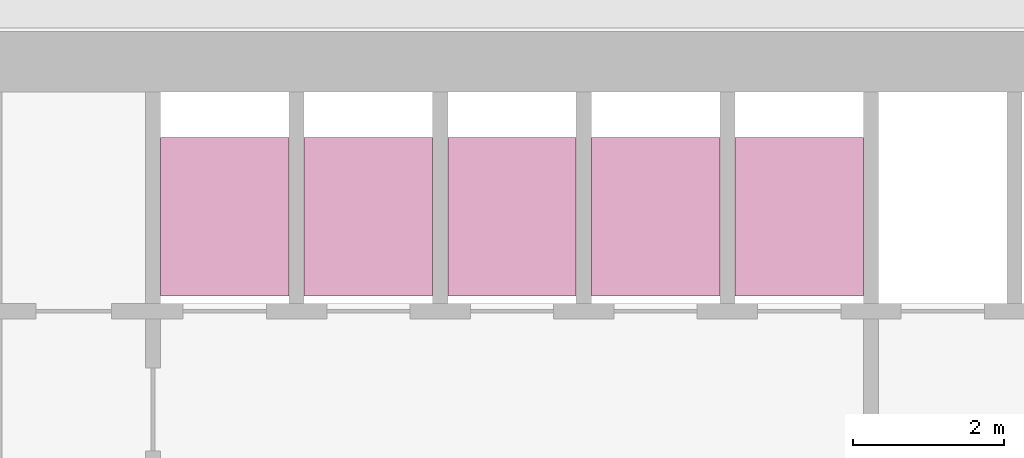
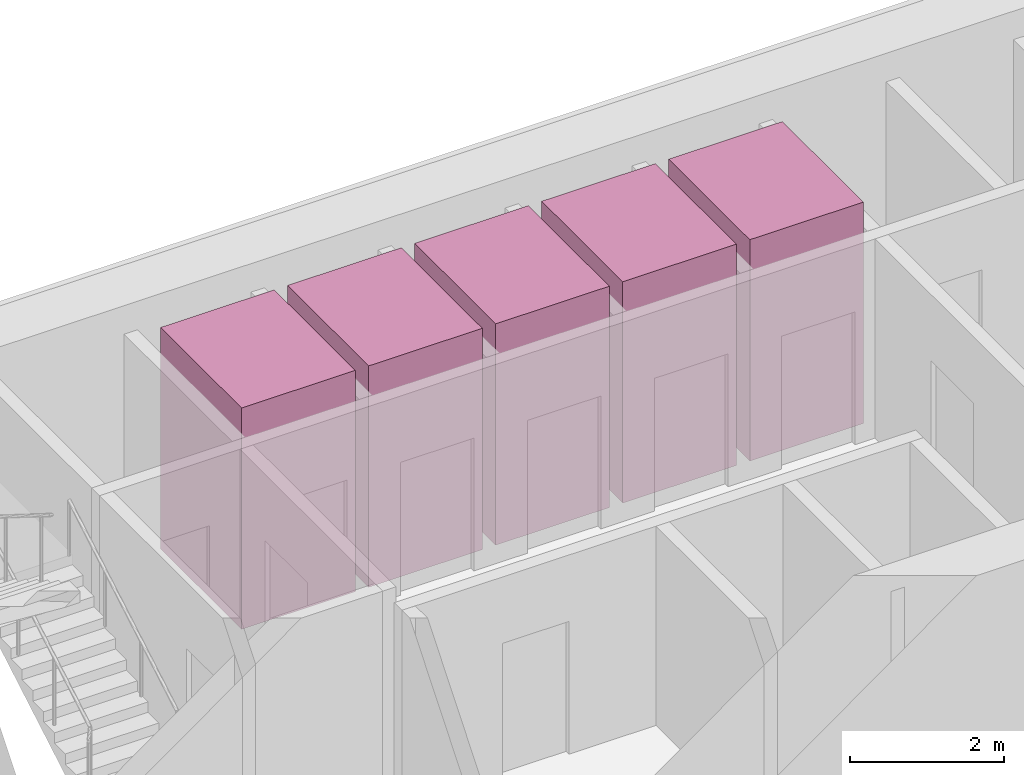
# One storey, part 13 of 13: 5 transport elements.
"""IFC4 building model written with IfcOpenShell, lengths in metres."""

import ifcopenshell
import ifcopenshell.guid

model = None  # the IFC model being written
_history = None  # IfcOwnerHistory: only IFC2X3 demands one
_inside = {}  # id of a spatial element -> (the spatial element, [elements in it])
_under = {}  # id of a project, library or spatial element -> (it, [spatial elements below it])
_declared = {}  # id of a project -> (the project, [libraries it declares])
_typed = {}  # id of a type object -> (the type object, [elements of that type])
_made_of = {}  # id of a material, layer set ... -> (it, [elements and type objects made of it])


def new_model(schema):
    """Start an empty IFC model of exactly this schema.

    Asked for "IFC4X3", IfcOpenShell would pick the latest addendum, in which some entities
    have other attributes; the version numbers below select the first issue.
    IFC2X3 requires an IfcOwnerHistory on every rooted entity: one is made here for all.
    """
    global model, _history
    if schema == "IFC4X3":
        model = ifcopenshell.file(schema_version=(4, 3, 0, 0))
    else:
        model = ifcopenshell.file(schema=schema)
    _inside.clear()
    _under.clear()
    _declared.clear()
    _typed.clear()
    _made_of.clear()
    _history = None
    if model.schema == "IFC2X3":
        org = make("IfcOrganization", Name="unknown")
        user = make(
            "IfcPersonAndOrganization",
            ThePerson=make("IfcPerson", FamilyName="unknown"),
            TheOrganization=org,
        )
        app = make(
            "IfcApplication",
            ApplicationDeveloper=org,
            Version="unknown",
            ApplicationFullName="unknown",
            ApplicationIdentifier="unknown",
        )
        _history = make(
            "IfcOwnerHistory",
            OwningUser=user,
            OwningApplication=app,
            ChangeAction="ADDED",
            CreationDate=0,
        )
    return model


def make(cls, **values):
    """One entity of the class cls with the attributes given. An attribute that is None is left unset."""
    return model.create_entity(
        cls, **{name: value for name, value in values.items() if value is not None}
    )


def rooted(cls, **values):
    """An entity with a GlobalId (a new one), such as an element, a storey or a relation."""
    return make(cls, GlobalId=ifcopenshell.guid.new(), OwnerHistory=_history, **values)


def si_unit(unit_type, name, prefix=None):
    """IfcSIUnit, for example si_unit("LENGTHUNIT", "METRE", prefix="MILLI")."""
    return make("IfcSIUnit", UnitType=unit_type, Prefix=prefix, Name=name)


def assignment(units):
    """IfcUnitAssignment: the units of a project."""
    return None if units is None else make("IfcUnitAssignment", Units=units)


def point(xyz):
    """IfcCartesianPoint."""
    return None if xyz is None else make("IfcCartesianPoint", Coordinates=xyz)


def direction(xyz):
    """IfcDirection."""
    return None if xyz is None else make("IfcDirection", DirectionRatios=xyz)


def frame(location, z_axis=None, x_axis=None):
    """IfcAxis2Placement3D, a coordinate frame: its origin and axes. An axis left out is left unset."""
    return make(
        "IfcAxis2Placement3D",
        Location=point(location),
        Axis=direction(z_axis),
        RefDirection=direction(x_axis),
    )


def frame_2d(location, x_axis=None):
    """IfcAxis2Placement2D, a coordinate frame in the plane: its origin and x axis."""
    return make(
        "IfcAxis2Placement2D", Location=point(location), RefDirection=direction(x_axis)
    )


def origin():
    """The frame at (0, 0, 0) with its axes left unset."""
    return frame((0.0, 0.0, 0.0))


def origin_2d():
    """The frame at (0, 0) in the plane with its x axis left unset."""
    return frame_2d((0.0, 0.0))


def place(relative_to, where):
    """IfcLocalPlacement: puts the frame where relative to a parent placement (None: the world)."""
    return make(
        "IfcLocalPlacement", PlacementRelTo=relative_to, RelativePlacement=where
    )


def context(
    kind, dimensions, precision=None, world=None, true_north=None, identifier=None
):
    """IfcGeometricRepresentationContext, for example the 3D "Model" context."""
    return make(
        "IfcGeometricRepresentationContext",
        ContextIdentifier=identifier,
        ContextType=kind,
        CoordinateSpaceDimension=dimensions,
        Precision=precision,
        WorldCoordinateSystem=world,
        TrueNorth=true_north,
    )


def subcontext(parent, identifier, kind, view, scale=None):
    """IfcGeometricRepresentationSubContext, for example "Body" below "Model"."""
    return make(
        "IfcGeometricRepresentationSubContext",
        ContextIdentifier=identifier,
        ContextType=kind,
        ParentContext=parent,
        TargetScale=scale,
        TargetView=view,
    )


def project(units=None, contexts=None):
    """IfcProject with its units and contexts."""
    return rooted(
        "IfcProject",
        Name="project",
        RepresentationContexts=contexts,
        UnitsInContext=assignment(units),
    )


def spatial(cls, under=None, at=None, **own):
    """A site, building, storey or space (cls), placed at a placement, below another one or the project."""
    s = rooted(cls, ObjectPlacement=at, **own)
    if under is not None:
        _under.setdefault(under.id(), (under, []))[1].append(s)
    return s


def profile(cls, at=None, kind="AREA", **sizes):
    """A parametric profile (cls). Its sizes go by their IFC names, for example OverallWidth=200.0."""
    return make(cls, ProfileType=kind, Position=at, **sizes)


def rectangle(**sizes):
    """IfcRectangleProfileDef."""
    return profile("IfcRectangleProfileDef", **sizes)


def extrude(swept, where, along, depth):
    """IfcExtrudedAreaSolid: the profile swept, set in the frame where, extruded along a direction by depth."""
    return make(
        "IfcExtrudedAreaSolid",
        SweptArea=swept,
        Position=where,
        ExtrudedDirection=direction(along),
        Depth=depth,
    )


def shape(context_of_items, identifier, shape_type, items):
    """IfcShapeRepresentation: the items that make up one representation, for example the "Body"."""
    return make(
        "IfcShapeRepresentation",
        ContextOfItems=context_of_items,
        RepresentationIdentifier=identifier,
        RepresentationType=shape_type,
        Items=items,
    )


def material(Name=None, Category=None):
    """IfcMaterial."""
    return make("IfcMaterial", Name=Name, Category=Category)


def made_of(thing, what):
    """Note that an element or type object is made of a material, layer set ...; save() writes the relation."""
    if what is not None:
        _made_of.setdefault(what.id(), (what, []))[1].append(thing)
    return thing


def type_object(cls, material=None, **own):
    """A type object (cls), such as IfcWallType, which elements share."""
    return made_of(rooted(cls, **own), material)


def element(
    cls,
    number,
    at=None,
    inside=None,
    cuts=None,
    type_object=None,
    material=None,
    context=None,
    identifier="Body",
    shape_type=None,
    held_by="IfcProductDefinitionShape",
    body=None,
    shapes=None,
    **own,
):
    """One element of the class cls, such as IfcWall. Its Tag is "e" and its number.

    at: its placement. inside: the storey or other place that contains it. cuts: it is an
    opening in that element (IfcRelVoidsElement). A single representation is given by context,
    identifier, shape_type and body (its items); several are given by shapes. held_by: the class
    of the entity that holds the representations. save() writes the other relations.
    """
    e = rooted(cls, Tag="e%d" % number, ObjectPlacement=at, **own)
    if body is not None:
        shapes = [shape(context, identifier, shape_type, body)]
    if shapes is not None:
        e.Representation = make(held_by, Representations=shapes)
    if inside is not None:
        _inside.setdefault(inside.id(), (inside, []))[1].append(e)
    if cuts is not None:
        rooted(
            "IfcRelVoidsElement", RelatingBuildingElement=cuts, RelatedOpeningElement=e
        )
    if type_object is not None:
        _typed.setdefault(type_object.id(), (type_object, []))[1].append(e)
    return made_of(e, material)


def aggregate(whole, parts):
    """IfcRelAggregates: a whole, such as a stair, and the parts it consists of."""
    return rooted("IfcRelAggregates", RelatingObject=whole, RelatedObjects=parts)


def save(model, path):
    """Write the relations noted so far, then the file.

    IfcRelAggregates (storeys below a building ...), IfcRelContainedInSpatialStructure (elements
    in a storey), IfcRelDefinesByType, IfcRelAssociatesMaterial and IfcRelDeclares: one each for
    every whole, place, type object, material and project.
    """
    for whole, parts in _under.values():
        aggregate(whole, parts)
    for where, things in _inside.values():
        rooted(
            "IfcRelContainedInSpatialStructure",
            RelatedElements=things,
            RelatingStructure=where,
        )
    for kind, things in _typed.values():
        rooted("IfcRelDefinesByType", RelatedObjects=things, RelatingType=kind)
    for what, things in _made_of.values():
        rooted("IfcRelAssociatesMaterial", RelatedObjects=things, RelatingMaterial=what)
    for by, libraries in _declared.values():
        rooted("IfcRelDeclares", RelatingContext=by, RelatedDefinitions=libraries)
    model.write(path)


model = new_model("IFC4")

# Units and contexts
model_context = context("Model", 3, precision=1e-05, world=origin(), true_north=direction((0.0, 1.0)))
body_context = subcontext(model_context, "Body", "Model", "MODEL_VIEW")
ifc_project = project(units=[si_unit("LENGTHUNIT", "METRE"), si_unit("AREAUNIT", "SQUARE_METRE"), si_unit("VOLUMEUNIT", "CUBIC_METRE"), si_unit("PLANEANGLEUNIT", "RADIAN"), si_unit("MASSUNIT", "GRAM", prefix="KILO")], contexts=[model_context])

# Site, building, storey
site_placement = place(None, origin())
site = spatial("IfcSite", under=ifc_project, at=site_placement, CompositionType="ELEMENT")
building_placement = place(site_placement, origin())
building = spatial("IfcBuilding", under=site, at=building_placement, Name="Altiplano Prism Tower", CompositionType="ELEMENT")
storey_placement = place(building_placement, frame((0.0, 0.0, 153.0)))
storey = spatial("IfcBuildingStorey", under=building, at=storey_placement, Name="L39", CompositionType="ELEMENT", Elevation=153.0)

# Transport elements
ifc_material = material(Name="Stainless steel lift car", Category="steel")
transport_element_type = type_object("IfcTransportElementType", Name="Passenger lift car 1600 x 2100", PredefinedType="ELEVATOR", material=ifc_material)
for number, where, z_axis, x_axis, name in (
    (1, (79.050048828125, 101.75, 0.050048828125), (0.0, 0.0, 1.0), (1.0, 0.0, 0.0), "Mid Zone Passenger Lift 1"),
    (2, (80.949951171875, 101.75, 0.050048828125), (0.0, 0.0, 1.0), (1.0, 0.0, 0.0), "Mid Zone Passenger Lift 2"),
    (3, (82.85009765625, 101.75, 0.050048828125), (0.0, 0.0, 1.0), (1.0, 0.0, 0.0), "Mid Zone Passenger Lift 3"),
    (4, (84.75, 101.75, 0.050048828125), (0.0, 0.0, 1.0), (1.0, 0.0, 0.0), "Mid Zone Passenger Lift 4"),
    (5, (86.64990234375, 101.75, 0.050048828125), (0.0, 0.0, 1.0), (1.0, 0.0, 0.0), "Mid Zone Passenger Lift 5"),
):
    element("IfcTransportElement", number, at=place(storey_placement, frame(where, z_axis=z_axis, x_axis=x_axis)), inside=storey, type_object=transport_element_type, Name=name, PredefinedType="ELEVATOR", context=body_context, shape_type="SweptSolid", body=[
        extrude(rectangle(XDim=1.699951171875, YDim=2.10009765625, at=origin_2d()), origin(), (0.0, 0.0, 1.0), 3.5),
    ])

save(model, "model.ifc")
